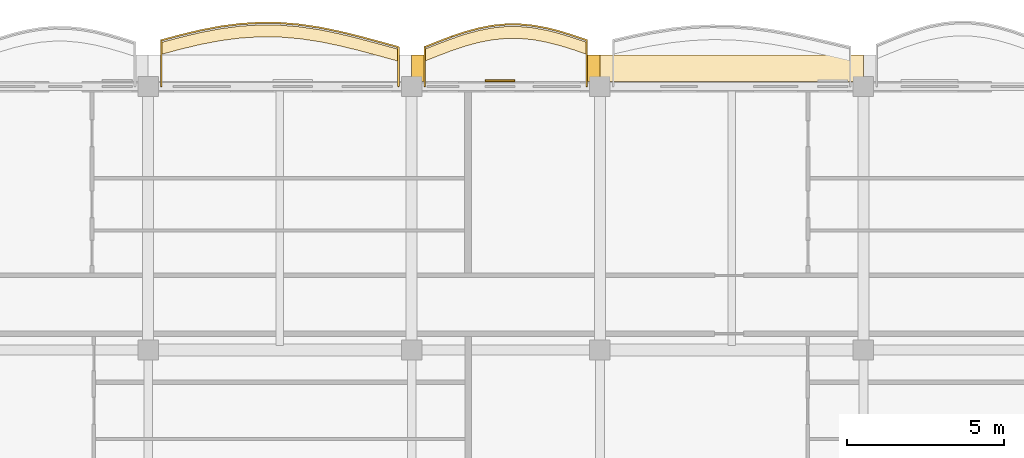
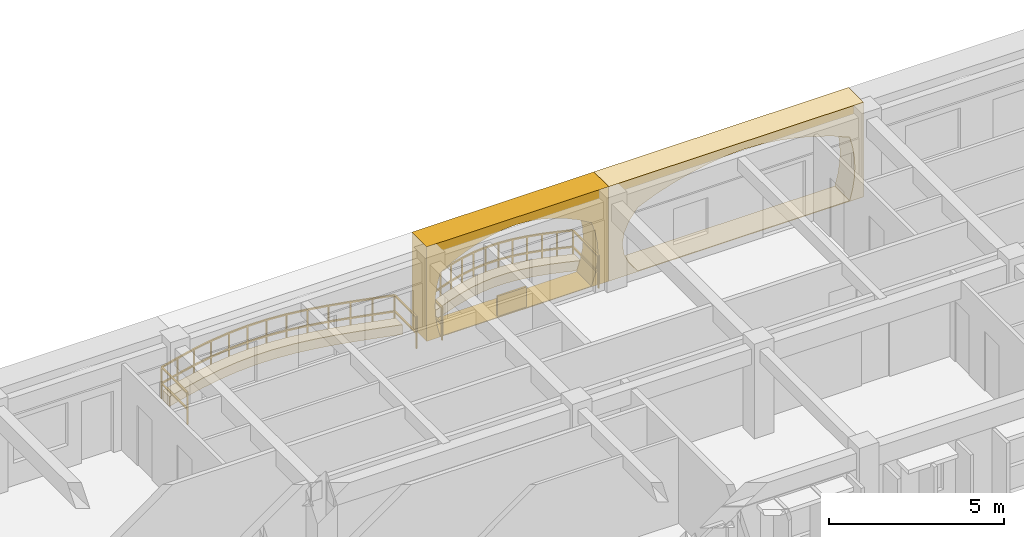
# One storey, part 58 of 70: 5 coverings, 2 railings.
"""IFC4 building model written with IfcOpenShell, lengths in metres."""

from ifc_helpers import new_model, si_unit, direction, frame, origin, origin_2d, place, context, subcontext, project, spatial, polyline, rectangle, outline, extrude, material, layer, layer_set, type_object, element, save


model = new_model("IFC4")

# Units and contexts
model_context = context("Model", 3, precision=1e-05, world=origin(), true_north=direction((0.0, 1.0)))
body_context = subcontext(model_context, "Body", "Model", "MODEL_VIEW")
ifc_project = project(units=[si_unit("LENGTHUNIT", "METRE"), si_unit("AREAUNIT", "SQUARE_METRE"), si_unit("VOLUMEUNIT", "CUBIC_METRE"), si_unit("PLANEANGLEUNIT", "RADIAN"), si_unit("MASSUNIT", "GRAM", prefix="KILO"), si_unit("THERMODYNAMICTEMPERATUREUNIT", "KELVIN")], contexts=[model_context])

# Site, building, storey
site_placement = place(None, origin())
site = spatial("IfcSite", under=ifc_project, at=site_placement, CompositionType="ELEMENT")
building_placement = place(site_placement, origin())
building = spatial("IfcBuilding", under=site, at=building_placement, Name="Thalorik Housing Commons", CompositionType="ELEMENT")
storey_placement = place(building_placement, frame((0.0, 0.0, 14.699951171875)))
storey = spatial("IfcBuildingStorey", under=building, at=storey_placement, Name="L04", CompositionType="ELEMENT", Elevation=14.699951171875)

# Coverings
ifc_material_1 = material(Name="Cobalt blue glazed ceramic facade tile panel", Category="masonry")
ifc_layer_1 = layer(ifc_material_1, 0.06005859375, Name="Cobalt blue glazed ceramic facade tile panel", Category="masonry")
ifc_layer_set_1 = layer_set([ifc_layer_1], Name="Cobalt blue glazed ceramic facade tile panel")
covering_type_1 = type_object("IfcCoveringType", Name="ARC-CLD-BLU-60", PredefinedType="CLADDING", material=ifc_layer_set_1)
covering_1_placement = place(storey_placement, frame((126.4150390625, 123.78759765625, 0.05029296875), z_axis=(0.0, 0.0, 1.0), x_axis=(-1.0, 0.0, 0.0)))
element("IfcCovering", 1, at=covering_1_placement, inside=storey, type_object=covering_type_1, Name="L04 De Stijl Recessed Window Spandrel 2021", PredefinedType="CLADDING", context=body_context, shape_type="SweptSolid", body=[
    extrude(rectangle(XDim=0.949951171875, YDim=0.06005859375, at=origin_2d()), origin(), (0.0, 0.0, 1.0), 0.699951171875),
])
ifc_material_2 = material(Name="Precast concrete C40/50", Category="concrete")
ifc_layer_2 = layer(ifc_material_2, 0.85009765625, Name="Precast concrete C40/50", Category="concrete")
ifc_layer_set_2 = layer_set([ifc_layer_2], Name="Precast concrete C40/50")
covering_type_2 = type_object("IfcCoveringType", Name="ARC-CLD-CUSH-850", PredefinedType="CLADDING", material=ifc_layer_set_2)
covering_2_placement = place(storey_placement, frame((133.800048828125, 124.177490234375, 0.0), z_axis=(0.0, 0.0, 1.0), x_axis=(-1.0, 0.0, 0.0)))
element("IfcCovering", 2, at=covering_2_placement, inside=storey, type_object=covering_type_2, Name="L04 White Precast Curved Cushion Bay Frame 2018", PredefinedType="CLADDING", context=body_context, shape_type="SweptSolid", body=[
    extrude(outline(polyline([(-4.199951171875, 0.0), (4.199951171875, 0.0), (4.199951171875, 3.300048828125), (-4.199951171875, 3.300048828125), (-4.199951171875, 0.0)]), holes=[polyline([(3.239990234375, 0.02490234375), (3.523193359375, 0.394287109375), (3.693359375, 0.76318359375), (3.75, 1.132568359375), (3.693359375, 1.501708984375), (3.523193359375, 1.870849609375), (3.239990234375, 2.239990234375), (2.65771484375, 2.4833984375), (2.07568359375, 2.6748046875), (1.493408203125, 2.82958984375), (0.911376953125, 2.94482421875), (0.3291015625, 3.01611328125), (-0.2529296875, 3.0400390625), (-0.835205078125, 3.01611328125), (-1.417236328125, 2.94482421875), (-1.99951171875, 2.82958984375), (-2.581787109375, 2.6748046875), (-3.163818359375, 2.4833984375), (-3.74609375, 2.239990234375), (-3.841796875, 1.870849609375), (-3.8994140625, 1.501708984375), (-3.91845703125, 1.132568359375), (-3.8994140625, 0.76318359375), (-3.841796875, 0.394287109375), (-3.74609375, 0.02490234375), (3.239990234375, 0.02490234375)])]), frame((0.0, 0.425048828125, 0.0), z_axis=(0.0, -1.0, 0.0), x_axis=(1.0, 0.0, 0.0)), (0.0, 0.0, 1.0), 0.85009765625),
])
covering_3_placement = place(storey_placement, frame((126.60009765625, 124.177490234375, 0.0), z_axis=(0.0, 0.0, 1.0), x_axis=(-1.0, 0.0, 0.0)))
element("IfcCovering", 3, at=covering_3_placement, inside=storey, type_object=covering_type_2, Name="L04 White Precast Curved Cushion Bay Frame 2020", PredefinedType="CLADDING", context=body_context, shape_type="SweptSolid", body=[
    extrude(outline(polyline([(-3.0, 0.0), (3.0, 0.0), (3.0, 3.300048828125), (-3.0, 3.300048828125), (-3.0, 0.0)]), holes=[polyline([(2.554931640625, 0.02490234375), (2.64892578125, 0.394287109375), (2.705322265625, 0.76318359375), (2.72412109375, 1.132568359375), (2.705322265625, 1.501708984375), (2.64892578125, 1.870849609375), (2.554931640625, 2.239990234375), (2.1396484375, 2.4833984375), (1.72412109375, 2.6748046875), (1.30859375, 2.82958984375), (0.893310546875, 2.94482421875), (0.477783203125, 3.01611328125), (0.0625, 3.0400390625), (-0.352783203125, 3.01611328125), (-0.768310546875, 2.94482421875), (-1.18359375, 2.82958984375), (-1.59912109375, 2.6748046875), (-2.0146484375, 2.4833984375), (-2.429931640625, 2.239990234375), (-2.55029296875, 1.870849609375), (-2.62255859375, 1.501708984375), (-2.646484375, 1.132568359375), (-2.62255859375, 0.76318359375), (-2.55029296875, 0.394287109375), (-2.429931640625, 0.02490234375), (2.554931640625, 0.02490234375)])]), frame((0.0, 0.425048828125, 0.0), z_axis=(0.0, -1.0, 0.0), x_axis=(1.0, 0.0, 0.0)), (0.0, 0.0, 1.0), 0.85009765625),
])
ifc_material_3 = material(Name="Planted vegetated substrate and terracotta trough", Category="masonry")
ifc_layer_3 = layer(ifc_material_3, 0.340087890625, Name="Planted vegetated substrate and terracotta trough", Category="masonry")
ifc_layer_set_3 = layer_set([ifc_layer_3], Name="Planted vegetated substrate and terracotta trough")
covering_type_3 = type_object("IfcCoveringType", Name="ARC-COV-PLANTER", PredefinedType="USERDEFINED", material=ifc_layer_set_3)
covering_4_placement = place(storey_placement, origin())
element("IfcCovering", 4, at=covering_4_placement, inside=storey, type_object=covering_type_3, Name="L04 Balcony Slab-Edge Planted Trough 5456", ObjectType="PLANTER", PredefinedType="USERDEFINED", context=body_context, shape_type="SweptSolid", body=[
    extrude(outline(polyline([(123.179931640625, 124.785888671875), (122.550048828125, 124.95849609375), (121.919921875, 125.127685546875), (121.2900390625, 125.281982421875), (120.659912109375, 125.410400390625), (120.030029296875, 125.504150390625), (119.39990234375, 125.556396484375), (118.77001953125, 125.563720703125), (118.139892578125, 125.525390625), (117.510009765625, 125.443359375), (116.8798828125, 125.323486328125), (116.25, 125.174072265625), (115.6201171875, 125.0048828125), (115.6201171875, 124.625), (116.25, 124.794189453125), (116.8798828125, 124.943603515625), (117.510009765625, 125.0634765625), (118.139892578125, 125.145263671875), (118.77001953125, 125.183837890625), (119.39990234375, 125.176513671875), (120.030029296875, 125.1240234375), (120.659912109375, 125.030517578125), (121.2900390625, 124.90185546875), (121.919921875, 124.747802734375), (122.550048828125, 124.57861328125), (123.179931640625, 124.40576171875), (123.179931640625, 124.785888671875)])), origin(), (0.0, 0.0, 1.0), 0.340087890625),
])
covering_5_placement = place(storey_placement, origin())
element("IfcCovering", 5, at=covering_5_placement, inside=storey, type_object=covering_type_3, Name="L04 Balcony Slab-Edge Planted Trough 5457", ObjectType="PLANTER", PredefinedType="USERDEFINED", context=body_context, shape_type="SweptSolid", body=[
    extrude(outline(polyline([(129.179931640625, 125.00634765625), (128.75, 125.1533203125), (128.320068359375, 125.2861328125), (127.889892578125, 125.395263671875), (127.4599609375, 125.47265625), (127.030029296875, 125.51220703125), (126.60009765625, 125.510986328125), (126.169921875, 125.468017578125), (125.739990234375, 125.385498046875), (125.31005859375, 125.268310546875), (124.8798828125, 125.123779296875), (124.449951171875, 124.96142578125), (124.02001953125, 124.79150390625), (124.02001953125, 124.41162109375), (124.449951171875, 124.581298828125), (124.8798828125, 124.743896484375), (125.31005859375, 124.88818359375), (125.739990234375, 125.00537109375), (126.169921875, 125.087890625), (126.60009765625, 125.131103515625), (127.030029296875, 125.13232421875), (127.4599609375, 125.092529296875), (127.889892578125, 125.01513671875), (128.320068359375, 124.90625), (128.75, 124.7734375), (129.179931640625, 124.62646484375), (129.179931640625, 125.00634765625)])), origin(), (0.0, 0.0, 1.0), 0.340087890625),
])

# Railings
ifc_material_4 = material(Name="Steel S355", Category="steel")
railing_type_1 = type_object("IfcRailingType", Name="ARC-RL-BAL-112", PredefinedType="BALUSTRADE", material=ifc_material_4)
railing_1_placement = place(storey_placement, frame((123.179931640625, 123.60009765625, 0.0)))
element("IfcRailing", 6, at=railing_1_placement, inside=storey, type_object=railing_type_1, Name="L04 Cushion Balcony Guardrail 140", PredefinedType="BALUSTRADE", context=body_context, shape_type="SweptSolid", body=[
    extrude(rectangle(XDim=0.050048828125, YDim=0.050048828125, at=origin_2d()), frame((0.0, 0.0, 1.09521484375), z_axis=(0.0, 1.0, 0.0), x_axis=(-1.0, 0.0, 0.0)), (0.0, 0.0, 1.0), 1.255615234375),
    extrude(rectangle(XDim=0.050048828125, YDim=0.050048828125, at=origin_2d()), frame((0.0, 0.0, 0.53515625), z_axis=(0.0, 1.0, 0.0), x_axis=(-1.0, 0.0, 0.0)), (0.0, 0.0, 1.0), 1.255615234375),
    extrude(rectangle(XDim=0.050048828125, YDim=0.050048828125, at=origin_2d()), frame((0.0, 1.255615234375, 1.09521484375), z_axis=(-0.964348595215, 0.264635195896, 0.0), x_axis=(-0.264635195896, -0.964348595215, 0.0)), (0.0, 0.0, 1.0), 0.653076171875),
    extrude(rectangle(XDim=0.050048828125, YDim=0.050048828125, at=origin_2d()), frame((0.0, 1.255615234375, 0.53515625), z_axis=(-0.964348595215, 0.264635195896, 0.0), x_axis=(-0.264635195896, -0.964348595215, 0.0)), (0.0, 0.0, 1.0), 0.653076171875),
    extrude(rectangle(XDim=0.050048828125, YDim=0.050048828125, at=origin_2d()), frame((-0.6298828125, 1.428466796875, 1.09521484375), z_axis=(-0.965792566716, 0.259315865453, 0.0), x_axis=(-0.259315865453, -0.965792566716, 0.0)), (0.0, 0.0, 1.0), 0.65234375),
    extrude(rectangle(XDim=0.050048828125, YDim=0.050048828125, at=origin_2d()), frame((-0.6298828125, 1.428466796875, 0.53515625), z_axis=(-0.965792566716, 0.259315865453, 0.0), x_axis=(-0.259315865453, -0.965792566716, 0.0)), (0.0, 0.0, 1.0), 0.65234375),
    extrude(rectangle(XDim=0.050048828125, YDim=0.050048828125, at=origin_2d()), frame((-1.260009765625, 1.59765625, 1.09521484375), z_axis=(-0.971370051234, 0.23757151253, 0.0), x_axis=(-0.23757151253, -0.971370051234, 0.0)), (0.0, 0.0, 1.0), 0.6484375),
    extrude(rectangle(XDim=0.050048828125, YDim=0.050048828125, at=origin_2d()), frame((-1.260009765625, 1.59765625, 0.53515625), z_axis=(-0.971370051234, 0.23757151253, 0.0), x_axis=(-0.23757151253, -0.971370051234, 0.0)), (0.0, 0.0, 1.0), 0.6484375),
    extrude(rectangle(XDim=0.050048828125, YDim=0.050048828125, at=origin_2d()), frame((-1.889892578125, 1.751708984375, 1.09521484375), z_axis=(-0.979784321963, 0.200056698053, 0.0), x_axis=(-0.200056698053, -0.979784321963, 0.0)), (0.0, 0.0, 1.0), 0.64306640625),
    extrude(rectangle(XDim=0.050048828125, YDim=0.050048828125, at=origin_2d()), frame((-1.889892578125, 1.751708984375, 0.53515625), z_axis=(-0.979784321963, 0.200056698053, 0.0), x_axis=(-0.200056698053, -0.979784321963, 0.0)), (0.0, 0.0, 1.0), 0.64306640625),
    extrude(rectangle(XDim=0.050048828125, YDim=0.050048828125, at=origin_2d()), frame((-2.52001953125, 1.88037109375, 1.09521484375), z_axis=(-0.98910443516, 0.147215543838, 0.0), x_axis=(-0.147215543838, -0.98910443516, 0.0)), (0.0, 0.0, 1.0), 0.63671875),
    extrude(rectangle(XDim=0.050048828125, YDim=0.050048828125, at=origin_2d()), frame((-2.52001953125, 1.88037109375, 0.53515625), z_axis=(-0.98910443516, 0.147215543838, 0.0), x_axis=(-0.147215543838, -0.98910443516, 0.0)), (0.0, 0.0, 1.0), 0.63671875),
    extrude(rectangle(XDim=0.050048828125, YDim=0.050048828125, at=origin_2d()), frame((-3.14990234375, 1.97412109375, 1.09521484375), z_axis=(-0.996580289475, 0.082630058872, 0.0), x_axis=(-0.082630058872, -0.996580289475, 0.0)), (0.0, 0.0, 1.0), 0.63232421875),
    extrude(rectangle(XDim=0.050048828125, YDim=0.050048828125, at=origin_2d()), frame((-3.14990234375, 1.97412109375, 0.53515625), z_axis=(-0.996580289475, 0.082630058872, 0.0), x_axis=(-0.082630058872, -0.996580289475, 0.0)), (0.0, 0.0, 1.0), 0.63232421875),
    extrude(rectangle(XDim=0.050048828125, YDim=0.050048828125, at=origin_2d()), frame((-3.780029296875, 2.0263671875, 1.09521484375), z_axis=(-0.999932402744, 0.011627120962, 0.0), x_axis=(-0.011627120962, -0.999932402744, 0.0)), (0.0, 0.0, 1.0), 0.6298828125),
    extrude(rectangle(XDim=0.050048828125, YDim=0.050048828125, at=origin_2d()), frame((-3.780029296875, 2.0263671875, 0.53515625), z_axis=(-0.999932402744, 0.011627120962, 0.0), x_axis=(-0.011627120962, -0.999932402744, 0.0)), (0.0, 0.0, 1.0), 0.6298828125),
    extrude(rectangle(XDim=0.050048828125, YDim=0.050048828125, at=origin_2d()), frame((-4.409912109375, 2.03369140625, 1.09521484375), z_axis=(-0.998131514932, -0.061102200449, 0.0), x_axis=(0.061102200449, -0.998131514932, 0.0)), (0.0, 0.0, 1.0), 0.63134765625),
    extrude(rectangle(XDim=0.050048828125, YDim=0.050048828125, at=origin_2d()), frame((-4.409912109375, 2.03369140625, 0.53515625), z_axis=(-0.998131514932, -0.061102200449, 0.0), x_axis=(0.061102200449, -0.998131514932, 0.0)), (0.0, 0.0, 1.0), 0.63134765625),
    extrude(rectangle(XDim=0.050048828125, YDim=0.050048828125, at=origin_2d()), frame((-5.0400390625, 1.9951171875, 1.09521484375), z_axis=(-0.9916752609, -0.128764035815, 0.0), x_axis=(0.128764035815, -0.9916752609, 0.0)), (0.0, 0.0, 1.0), 0.63525390625),
    extrude(rectangle(XDim=0.050048828125, YDim=0.050048828125, at=origin_2d()), frame((-5.0400390625, 1.9951171875, 0.53515625), z_axis=(-0.9916752609, -0.128764035815, 0.0), x_axis=(0.128764035815, -0.9916752609, 0.0)), (0.0, 0.0, 1.0), 0.63525390625),
    extrude(rectangle(XDim=0.050048828125, YDim=0.050048828125, at=origin_2d()), frame((-5.669921875, 1.913330078125, 1.09521484375), z_axis=(-0.982381849239, -0.186884729941, 0.0), x_axis=(0.186884729941, -0.982381849239, 0.0)), (0.0, 0.0, 1.0), 0.641357421875),
    extrude(rectangle(XDim=0.050048828125, YDim=0.050048828125, at=origin_2d()), frame((-5.669921875, 1.913330078125, 0.53515625), z_axis=(-0.982381849239, -0.186884729941, 0.0), x_axis=(0.186884729941, -0.982381849239, 0.0)), (0.0, 0.0, 1.0), 0.641357421875),
    extrude(rectangle(XDim=0.050048828125, YDim=0.050048828125, at=origin_2d()), frame((-6.300048828125, 1.79345703125, 1.09521484375), z_axis=(-0.973000103625, -0.230804675744, 0.0), x_axis=(0.230804675744, -0.973000103625, 0.0)), (0.0, 0.0, 1.0), 0.6474609375),
    extrude(rectangle(XDim=0.050048828125, YDim=0.050048828125, at=origin_2d()), frame((-6.300048828125, 1.79345703125, 0.53515625), z_axis=(-0.973000103625, -0.230804675744, 0.0), x_axis=(0.230804675744, -0.973000103625, 0.0)), (0.0, 0.0, 1.0), 0.6474609375),
    extrude(rectangle(XDim=0.050048828125, YDim=0.050048828125, at=origin_2d()), frame((-6.929931640625, 1.64404296875, 1.09521484375), z_axis=(-0.965767390555, -0.259409613045, 0.0), x_axis=(0.259409613045, -0.965767390555, 0.0)), (0.0, 0.0, 1.0), 0.652099609375),
    extrude(rectangle(XDim=0.050048828125, YDim=0.050048828125, at=origin_2d()), frame((-6.929931640625, 1.64404296875, 0.53515625), z_axis=(-0.965767390555, -0.259409613045, 0.0), x_axis=(0.259409613045, -0.965767390555, 0.0)), (0.0, 0.0, 1.0), 0.652099609375),
    extrude(rectangle(XDim=0.050048828125, YDim=0.050048828125, at=origin_2d()), frame((-7.559814453125, 1.474853515625, 1.09521484375), z_axis=(0.0, -1.0, 0.0), x_axis=(1.0, 0.0, 0.0)), (0.0, 0.0, 1.0), 1.474853515625),
    extrude(rectangle(XDim=0.050048828125, YDim=0.050048828125, at=origin_2d()), frame((-7.559814453125, 1.474853515625, 0.53515625), z_axis=(0.0, -1.0, 0.0), x_axis=(1.0, 0.0, 0.0)), (0.0, 0.0, 1.0), 1.474853515625),
    extrude(rectangle(XDim=0.0419921875, YDim=0.0419921875, at=origin_2d()), origin(), (0.0, 0.0, 1.0), 1.070068359375),
    extrude(rectangle(XDim=0.0419921875, YDim=0.0419921875, at=origin_2d()), frame((0.0, 1.255615234375, 0.0)), (0.0, 0.0, 1.0), 1.070068359375),
    extrude(rectangle(XDim=0.0419921875, YDim=0.0419921875, at=origin_2d()), frame((-0.6298828125, 1.428466796875, 0.0)), (0.0, 0.0, 1.0), 1.070068359375),
    extrude(rectangle(XDim=0.0419921875, YDim=0.0419921875, at=origin_2d()), frame((-1.260009765625, 1.59765625, 0.0)), (0.0, 0.0, 1.0), 1.070068359375),
    extrude(rectangle(XDim=0.0419921875, YDim=0.0419921875, at=origin_2d()), frame((-1.889892578125, 1.751708984375, 0.0)), (0.0, 0.0, 1.0), 1.070068359375),
    extrude(rectangle(XDim=0.0419921875, YDim=0.0419921875, at=origin_2d()), frame((-2.52001953125, 1.88037109375, 0.0)), (0.0, 0.0, 1.0), 1.070068359375),
    extrude(rectangle(XDim=0.0419921875, YDim=0.0419921875, at=origin_2d()), frame((-3.14990234375, 1.97412109375, 0.0)), (0.0, 0.0, 1.0), 1.070068359375),
    extrude(rectangle(XDim=0.0419921875, YDim=0.0419921875, at=origin_2d()), frame((-3.780029296875, 2.0263671875, 0.0)), (0.0, 0.0, 1.0), 1.070068359375),
    extrude(rectangle(XDim=0.0419921875, YDim=0.0419921875, at=origin_2d()), frame((-4.409912109375, 2.03369140625, 0.0)), (0.0, 0.0, 1.0), 1.070068359375),
    extrude(rectangle(XDim=0.0419921875, YDim=0.0419921875, at=origin_2d()), frame((-5.0400390625, 1.9951171875, 0.0)), (0.0, 0.0, 1.0), 1.070068359375),
    extrude(rectangle(XDim=0.0419921875, YDim=0.0419921875, at=origin_2d()), frame((-5.669921875, 1.913330078125, 0.0)), (0.0, 0.0, 1.0), 1.070068359375),
    extrude(rectangle(XDim=0.0419921875, YDim=0.0419921875, at=origin_2d()), frame((-6.300048828125, 1.79345703125, 0.0)), (0.0, 0.0, 1.0), 1.070068359375),
    extrude(rectangle(XDim=0.0419921875, YDim=0.0419921875, at=origin_2d()), frame((-6.929931640625, 1.64404296875, 0.0)), (0.0, 0.0, 1.0), 1.070068359375),
    extrude(rectangle(XDim=0.0419921875, YDim=0.0419921875, at=origin_2d()), frame((-7.559814453125, 1.474853515625, 0.0)), (0.0, 0.0, 1.0), 1.070068359375),
    extrude(rectangle(XDim=0.0419921875, YDim=0.0419921875, at=origin_2d()), frame((-7.559814453125, 0.0, 0.0)), (0.0, 0.0, 1.0), 1.070068359375),
])
railing_type_2 = type_object("IfcRailingType", Name="ARC-RL-BAL-115", PredefinedType="BALUSTRADE", material=ifc_material_4)
railing_2_placement = place(storey_placement, frame((129.179931640625, 123.60009765625, 0.0)))
element("IfcRailing", 7, at=railing_2_placement, inside=storey, type_object=railing_type_2, Name="L04 Cushion Balcony Guardrail 141", PredefinedType="BALUSTRADE", context=body_context, shape_type="SweptSolid", body=[
    extrude(rectangle(XDim=0.050048828125, YDim=0.050048828125, at=origin_2d()), frame((0.0, 0.0, 1.125), z_axis=(0.0, 1.0, 0.0), x_axis=(-1.0, 0.0, 0.0)), (0.0, 0.0, 1.0), 1.476318359375),
    extrude(rectangle(XDim=0.050048828125, YDim=0.050048828125, at=origin_2d()), frame((0.0, 0.0, 0.5498046875), z_axis=(0.0, 1.0, 0.0), x_axis=(-1.0, 0.0, 0.0)), (0.0, 0.0, 1.0), 1.476318359375),
    extrude(rectangle(XDim=0.050048828125, YDim=0.050048828125, at=origin_2d()), frame((0.0, 1.476318359375, 1.125), z_axis=(-0.946237580977, 0.323472472316, 0.0), x_axis=(-0.323472472316, -0.946237580977, 0.0)), (0.0, 0.0, 1.0), 0.454345703125),
    extrude(rectangle(XDim=0.050048828125, YDim=0.050048828125, at=origin_2d()), frame((0.0, 1.476318359375, 0.5498046875), z_axis=(-0.946237580977, 0.323472472316, 0.0), x_axis=(-0.323472472316, -0.946237580977, 0.0)), (0.0, 0.0, 1.0), 0.454345703125),
    extrude(rectangle(XDim=0.050048828125, YDim=0.050048828125, at=origin_2d()), frame((-0.429931640625, 1.623291015625, 1.125), z_axis=(-0.955449943184, 0.295153190853, 0.0), x_axis=(-0.295153190853, -0.955449943184, 0.0)), (0.0, 0.0, 1.0), 0.449951171875),
    extrude(rectangle(XDim=0.050048828125, YDim=0.050048828125, at=origin_2d()), frame((-0.429931640625, 1.623291015625, 0.5498046875), z_axis=(-0.955449943184, 0.295153190853, 0.0), x_axis=(-0.295153190853, -0.955449943184, 0.0)), (0.0, 0.0, 1.0), 0.449951171875),
    extrude(rectangle(XDim=0.050048828125, YDim=0.050048828125, at=origin_2d()), frame((-0.85986328125, 1.756103515625, 1.125), z_axis=(-0.969426315346, 0.245382597415, 0.0), x_axis=(-0.245382597415, -0.969426315346, 0.0)), (0.0, 0.0, 1.0), 0.44384765625),
    extrude(rectangle(XDim=0.050048828125, YDim=0.050048828125, at=origin_2d()), frame((-0.85986328125, 1.756103515625, 0.5498046875), z_axis=(-0.969426315346, 0.245382597415, 0.0), x_axis=(-0.245382597415, -0.969426315346, 0.0)), (0.0, 0.0, 1.0), 0.44384765625),
    extrude(rectangle(XDim=0.050048828125, YDim=0.050048828125, at=origin_2d()), frame((-1.2900390625, 1.864990234375, 1.125), z_axis=(-0.984181375101, 0.177163825047, 0.0), x_axis=(-0.177163825047, -0.984181375101, 0.0)), (0.0, 0.0, 1.0), 0.436767578125),
    extrude(rectangle(XDim=0.050048828125, YDim=0.050048828125, at=origin_2d()), frame((-1.2900390625, 1.864990234375, 0.5498046875), z_axis=(-0.984181375101, 0.177163825047, 0.0), x_axis=(-0.177163825047, -0.984181375101, 0.0)), (0.0, 0.0, 1.0), 0.436767578125),
    extrude(rectangle(XDim=0.050048828125, YDim=0.050048828125, at=origin_2d()), frame((-1.719970703125, 1.9423828125, 1.125), z_axis=(-0.995743557497, 0.092167064095, 0.0), x_axis=(-0.092167064095, -0.995743557497, 0.0)), (0.0, 0.0, 1.0), 0.431884765625),
    extrude(rectangle(XDim=0.050048828125, YDim=0.050048828125, at=origin_2d()), frame((-1.719970703125, 1.9423828125, 0.5498046875), z_axis=(-0.995743557497, 0.092167064095, 0.0), x_axis=(-0.092167064095, -0.995743557497, 0.0)), (0.0, 0.0, 1.0), 0.431884765625),
    extrude(rectangle(XDim=0.050048828125, YDim=0.050048828125, at=origin_2d()), frame((-2.14990234375, 1.982177734375, 1.125), z_axis=(-0.999995969224, -0.00283928441, 0.0), x_axis=(0.00283928441, -0.999995969224, 0.0)), (0.0, 0.0, 1.0), 0.429931640625),
    extrude(rectangle(XDim=0.050048828125, YDim=0.050048828125, at=origin_2d()), frame((-2.14990234375, 1.982177734375, 0.5498046875), z_axis=(-0.999995969224, -0.00283928441, 0.0), x_axis=(0.00283928441, -0.999995969224, 0.0)), (0.0, 0.0, 1.0), 0.429931640625),
    extrude(rectangle(XDim=0.050048828125, YDim=0.050048828125, at=origin_2d()), frame((-2.579833984375, 1.98095703125, 1.125), z_axis=(-0.995048366632, -0.099391891332, 0.0), x_axis=(0.099391891332, -0.995048366632, 0.0)), (0.0, 0.0, 1.0), 0.432373046875),
    extrude(rectangle(XDim=0.050048828125, YDim=0.050048828125, at=origin_2d()), frame((-2.579833984375, 1.98095703125, 0.5498046875), z_axis=(-0.995048366632, -0.099391891332, 0.0), x_axis=(0.099391891332, -0.995048366632, 0.0)), (0.0, 0.0, 1.0), 0.432373046875),
    extrude(rectangle(XDim=0.050048828125, YDim=0.050048828125, at=origin_2d()), frame((-3.010009765625, 1.93798828125, 1.125), z_axis=(-0.98197063341, -0.189033529089, 0.0), x_axis=(0.189033529089, -0.98197063341, 0.0)), (0.0, 0.0, 1.0), 0.437744140625),
    extrude(rectangle(XDim=0.050048828125, YDim=0.050048828125, at=origin_2d()), frame((-3.010009765625, 1.93798828125, 0.5498046875), z_axis=(-0.98197063341, -0.189033529089, 0.0), x_axis=(0.189033529089, -0.98197063341, 0.0)), (0.0, 0.0, 1.0), 0.437744140625),
    extrude(rectangle(XDim=0.050048828125, YDim=0.050048828125, at=origin_2d()), frame((-3.43994140625, 1.855224609375, 1.125), z_axis=(-0.96480174078, -0.262978327981, 0.0), x_axis=(0.262978327981, -0.96480174078, 0.0)), (0.0, 0.0, 1.0), 0.445556640625),
    extrude(rectangle(XDim=0.050048828125, YDim=0.050048828125, at=origin_2d()), frame((-3.43994140625, 1.855224609375, 0.5498046875), z_axis=(-0.96480174078, -0.262978327981, 0.0), x_axis=(0.262978327981, -0.96480174078, 0.0)), (0.0, 0.0, 1.0), 0.445556640625),
    extrude(rectangle(XDim=0.050048828125, YDim=0.050048828125, at=origin_2d()), frame((-3.869873046875, 1.738037109375, 1.125), z_axis=(-0.948089752806, -0.318002862604, 0.0), x_axis=(0.318002862604, -0.948089752806, 0.0)), (0.0, 0.0, 1.0), 0.45361328125),
    extrude(rectangle(XDim=0.050048828125, YDim=0.050048828125, at=origin_2d()), frame((-3.869873046875, 1.738037109375, 0.5498046875), z_axis=(-0.948089752806, -0.318002862604, 0.0), x_axis=(0.318002862604, -0.948089752806, 0.0)), (0.0, 0.0, 1.0), 0.45361328125),
    extrude(rectangle(XDim=0.050048828125, YDim=0.050048828125, at=origin_2d()), frame((-4.300048828125, 1.59375, 1.125), z_axis=(-0.935518919321, -0.353276593611, 0.0), x_axis=(0.353276593611, -0.935518919321, 0.0)), (0.0, 0.0, 1.0), 0.45947265625),
    extrude(rectangle(XDim=0.050048828125, YDim=0.050048828125, at=origin_2d()), frame((-4.300048828125, 1.59375, 0.5498046875), z_axis=(-0.935518919321, -0.353276593611, 0.0), x_axis=(0.353276593611, -0.935518919321, 0.0)), (0.0, 0.0, 1.0), 0.45947265625),
    extrude(rectangle(XDim=0.050048828125, YDim=0.050048828125, at=origin_2d()), frame((-4.72998046875, 1.431396484375, 1.125), z_axis=(-0.929998507848, -0.367563294414, 0.0), x_axis=(0.367563294414, -0.929998507848, 0.0)), (0.0, 0.0, 1.0), 0.46240234375),
    extrude(rectangle(XDim=0.050048828125, YDim=0.050048828125, at=origin_2d()), frame((-4.72998046875, 1.431396484375, 0.5498046875), z_axis=(-0.929998507848, -0.367563294414, 0.0), x_axis=(0.367563294414, -0.929998507848, 0.0)), (0.0, 0.0, 1.0), 0.46240234375),
    extrude(rectangle(XDim=0.050048828125, YDim=0.050048828125, at=origin_2d()), frame((-5.159912109375, 1.261474609375, 1.125), z_axis=(0.0, -1.0, 0.0), x_axis=(1.0, 0.0, 0.0)), (0.0, 0.0, 1.0), 1.261474609375),
    extrude(rectangle(XDim=0.050048828125, YDim=0.050048828125, at=origin_2d()), frame((-5.159912109375, 1.261474609375, 0.5498046875), z_axis=(0.0, -1.0, 0.0), x_axis=(1.0, 0.0, 0.0)), (0.0, 0.0, 1.0), 1.261474609375),
    extrude(rectangle(XDim=0.0419921875, YDim=0.0419921875, at=origin_2d()), origin(), (0.0, 0.0, 1.0), 1.099853515625),
    extrude(rectangle(XDim=0.0419921875, YDim=0.0419921875, at=origin_2d()), frame((0.0, 1.476318359375, 0.0)), (0.0, 0.0, 1.0), 1.099853515625),
    extrude(rectangle(XDim=0.0419921875, YDim=0.0419921875, at=origin_2d()), frame((-0.429931640625, 1.623291015625, 0.0)), (0.0, 0.0, 1.0), 1.099853515625),
    extrude(rectangle(XDim=0.0419921875, YDim=0.0419921875, at=origin_2d()), frame((-0.85986328125, 1.756103515625, 0.0)), (0.0, 0.0, 1.0), 1.099853515625),
    extrude(rectangle(XDim=0.0419921875, YDim=0.0419921875, at=origin_2d()), frame((-1.2900390625, 1.864990234375, 0.0)), (0.0, 0.0, 1.0), 1.099853515625),
    extrude(rectangle(XDim=0.0419921875, YDim=0.0419921875, at=origin_2d()), frame((-1.719970703125, 1.9423828125, 0.0)), (0.0, 0.0, 1.0), 1.099853515625),
    extrude(rectangle(XDim=0.0419921875, YDim=0.0419921875, at=origin_2d()), frame((-2.14990234375, 1.982177734375, 0.0)), (0.0, 0.0, 1.0), 1.099853515625),
    extrude(rectangle(XDim=0.0419921875, YDim=0.0419921875, at=origin_2d()), frame((-2.579833984375, 1.98095703125, 0.0)), (0.0, 0.0, 1.0), 1.099853515625),
    extrude(rectangle(XDim=0.0419921875, YDim=0.0419921875, at=origin_2d()), frame((-3.010009765625, 1.93798828125, 0.0)), (0.0, 0.0, 1.0), 1.099853515625),
    extrude(rectangle(XDim=0.0419921875, YDim=0.0419921875, at=origin_2d()), frame((-3.43994140625, 1.855224609375, 0.0)), (0.0, 0.0, 1.0), 1.099853515625),
    extrude(rectangle(XDim=0.0419921875, YDim=0.0419921875, at=origin_2d()), frame((-3.869873046875, 1.738037109375, 0.0)), (0.0, 0.0, 1.0), 1.099853515625),
    extrude(rectangle(XDim=0.0419921875, YDim=0.0419921875, at=origin_2d()), frame((-4.300048828125, 1.59375, 0.0)), (0.0, 0.0, 1.0), 1.099853515625),
    extrude(rectangle(XDim=0.0419921875, YDim=0.0419921875, at=origin_2d()), frame((-4.72998046875, 1.431396484375, 0.0)), (0.0, 0.0, 1.0), 1.099853515625),
    extrude(rectangle(XDim=0.0419921875, YDim=0.0419921875, at=origin_2d()), frame((-5.159912109375, 1.261474609375, 0.0)), (0.0, 0.0, 1.0), 1.099853515625),
    extrude(rectangle(XDim=0.0419921875, YDim=0.0419921875, at=origin_2d()), frame((-5.159912109375, 0.0, 0.0)), (0.0, 0.0, 1.0), 1.099853515625),
])

save(model, "model.ifc")
